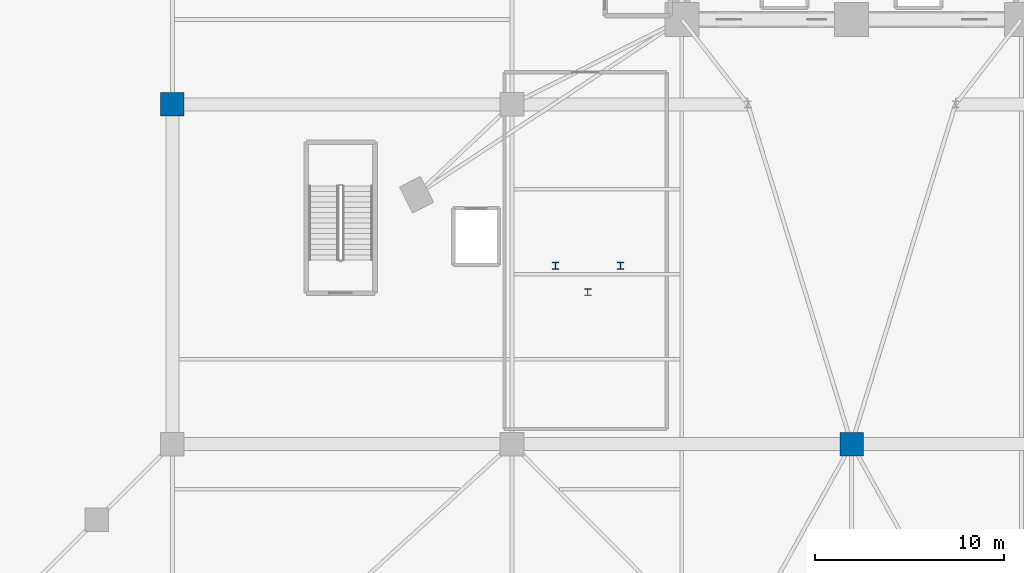
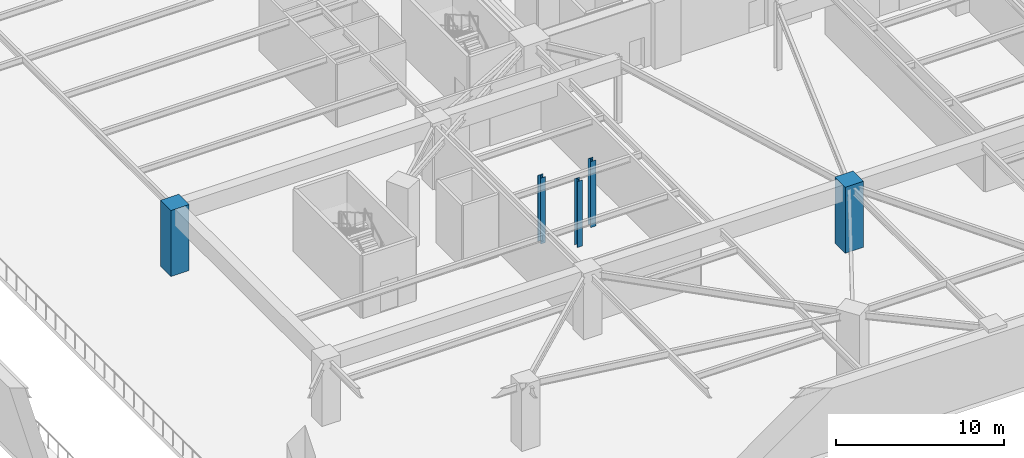
# One storey, part 2 of 20: 5 columns.
"""IFC4 building model written with IfcOpenShell, lengths in metres."""

from ifc_helpers import new_model, si_unit, direction, frame, origin, origin_2d, place, context, subcontext, project, spatial, rectangle, i_section, extrude, source, transform, mapped, material, material_profile, profile_set, type_object, element, save


model = new_model("IFC4")

# Units and contexts
model_context = context("Model", 3, precision=1e-05, world=origin(), true_north=direction((0.0, 1.0)))
body_context = subcontext(model_context, "Body", "Model", "MODEL_VIEW")
ifc_project = project(units=[si_unit("LENGTHUNIT", "METRE"), si_unit("AREAUNIT", "SQUARE_METRE"), si_unit("VOLUMEUNIT", "CUBIC_METRE"), si_unit("PLANEANGLEUNIT", "RADIAN"), si_unit("MASSUNIT", "GRAM", prefix="KILO")], contexts=[model_context])

# Site, building, storey
site_placement = place(None, origin())
site = spatial("IfcSite", under=ifc_project, at=site_placement, CompositionType="ELEMENT")
building_placement = place(site_placement, origin())
building = spatial("IfcBuilding", under=site, at=building_placement, Name="Liaohun Quay Tower", CompositionType="ELEMENT")
storey_placement = place(building_placement, frame((0.0, 0.0, -4.800048828125)))
storey = spatial("IfcBuildingStorey", under=building, at=storey_placement, Name="B1", CompositionType="ELEMENT", Elevation=-4.800048828125)

# Columns
ifc_material_1 = material(Name="Concrete C60", Category="concrete")
ifc_material_profile_1 = material_profile(ifc_material_1, rectangle(XDim=1.25, YDim=1.25, at=origin_2d()), Name="RC1250x1250")
ifc_profile_set_1 = profile_set([ifc_material_profile_1], Name="Concrete C60")
column_type_1 = type_object("IfcColumnType", Name="COL-POD-B", PredefinedType="COLUMN", material=ifc_profile_set_1)
shared_shape_1 = source(origin(), body_context, "Body", "SweptSolid", [
    extrude(rectangle(XDim=1.25, YDim=1.25, at=origin_2d()), origin(), (0.0, 0.0, 1.0), 4.800048828125),
])
for number, where, z_axis, x_axis, name in (
    (1, (60.0, 24.0, 0.0), (0.0, 0.0, 1.0), (1.0, 0.0, 0.0), "B1 Podium Column PG03"),
    (2, (24.0, 42.0, 0.0), (0.0, 0.0, 1.0), (1.0, 0.0, 0.0), "B1 Podium Column PG06"),
):
    element("IfcColumn", number, at=place(storey_placement, frame(where, z_axis=z_axis, x_axis=x_axis)), inside=storey, type_object=column_type_1, Name=name, PredefinedType="COLUMN", context=body_context, shape_type="MappedRepresentation", body=[
        mapped(shared_shape_1, transform((0.0, 0.0, 0.0), x_axis=(1.0, 0.0, 0.0), y_axis=(0.0, 1.0, 0.0), z_axis=(0.0, 0.0, 1.0), scale=1.0)),
    ])
ifc_material_2 = material(Name="Steel Q355D", Category="steel")
ifc_material_profile_2 = material_profile(ifc_material_2, i_section(OverallWidth=0.35009765625, OverallDepth=0.35009765625, WebThickness=0.011962890625, FlangeThickness=0.01904296875, at=origin_2d()), Name="HW350x350x12x19")
ifc_profile_set_2 = profile_set([ifc_material_profile_2], Name="Steel Q355D")
column_type_2 = type_object("IfcColumnType", Name="COL-STL-ATR", PredefinedType="COLUMN", material=ifc_profile_set_2)
shared_shape_2 = source(origin(), body_context, "Body", "SweptSolid", [
    extrude(i_section(OverallWidth=0.35009765625, OverallDepth=0.35009765625, WebThickness=0.011962890625, FlangeThickness=0.01904296875, at=origin_2d()), origin(), (0.0, 0.0, 1.0), 4.800048828125),
])
for number, where, z_axis, x_axis, name in (
    (3, (44.300048828125, 33.449951171875, 0.0), (0.0, 0.0, 1.0), (1.0, 0.0, 0.0), "B1 Monumental Stair Support Post STA1"),
    (4, (47.75, 33.449951171875, 0.0), (0.0, 0.0, 1.0), (1.0, 0.0, 0.0), "B1 Monumental Stair Support Post STA2"),
    (5, (46.02001953125, 32.050048828125, 0.0), (0.0, 0.0, 1.0), (1.0, 0.0, 0.0), "B1 Monumental Stair Support Post STA3"),
):
    element("IfcColumn", number, at=place(storey_placement, frame(where, z_axis=z_axis, x_axis=x_axis)), inside=storey, type_object=column_type_2, Name=name, PredefinedType="COLUMN", context=body_context, shape_type="MappedRepresentation", body=[
        mapped(shared_shape_2, transform((0.0, 0.0, 0.0), x_axis=(1.0, 0.0, 0.0), y_axis=(0.0, 1.0, 0.0), z_axis=(0.0, 0.0, 1.0), scale=1.0)),
    ])

save(model, "model.ifc")
